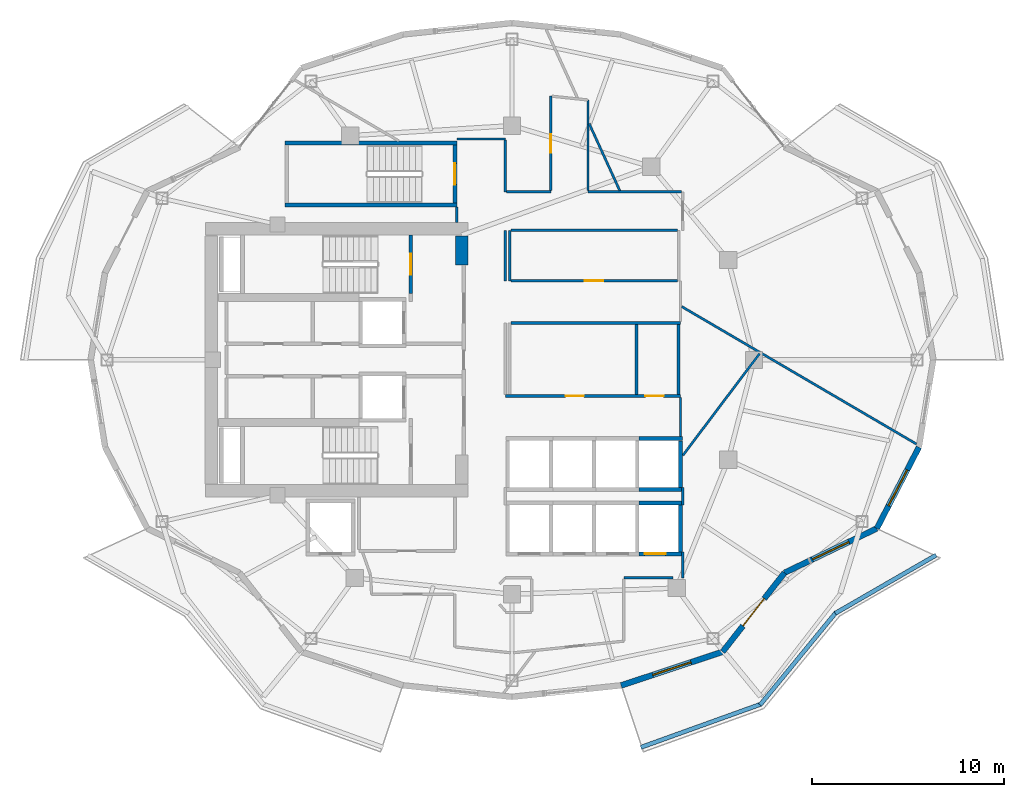
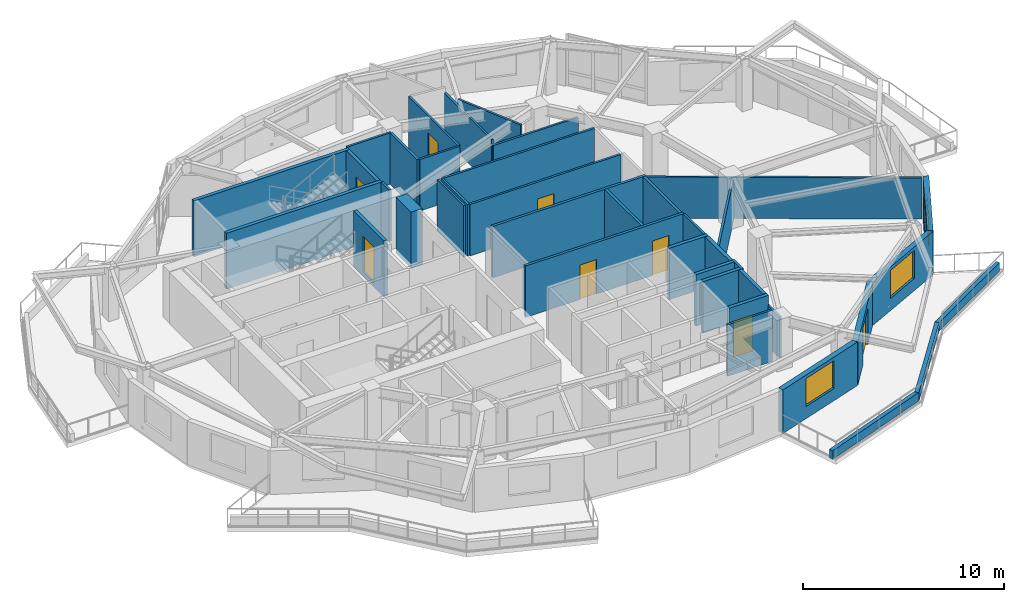
# One storey, part 8 of 13: 40 walls, 8 doors, 3 windows, 11 openings.
"""IFC4 building model written with IfcOpenShell, lengths in metres."""

from ifc_helpers import new_model, si_unit, direction, frame, frame_2d, origin, place, context, subcontext, project, spatial, rectangle, extrude, material, layer, layer_set, type_object, element, fill, save


model = new_model("IFC4")

# Units and contexts
model_context = context("Model", 3, precision=1e-05, world=origin(), true_north=direction((0.0, 1.0)))
body_context = subcontext(model_context, "Body", "Model", "MODEL_VIEW")
ifc_project = project(units=[si_unit("LENGTHUNIT", "METRE"), si_unit("AREAUNIT", "SQUARE_METRE"), si_unit("VOLUMEUNIT", "CUBIC_METRE"), si_unit("PLANEANGLEUNIT", "RADIAN"), si_unit("MASSUNIT", "GRAM", prefix="KILO")], contexts=[model_context])

# Site, building, storey
site_placement = place(None, origin())
site = spatial("IfcSite", under=ifc_project, at=site_placement, CompositionType="ELEMENT")
building_placement = place(site_placement, origin())
building = spatial("IfcBuilding", under=site, at=building_placement, Name="Kolvaren Gate Tower and Convention Centre", CompositionType="ELEMENT")
storey_placement = place(building_placement, frame((0.0, 0.0, 142.699951171875)))
storey = spatial("IfcBuildingStorey", under=building, at=storey_placement, Name="L36", CompositionType="ELEMENT", Elevation=142.699951171875)

# Wall
ifc_material_1 = material(Name="Fire-Rated Acoustic Gypsum Stud Partition", Category="gypsum")
ifc_layer_1 = layer(ifc_material_1, 0.1201171875)
ifc_layer_set_1 = layer_set([ifc_layer_1], Name="Fire-Rated Acoustic Gypsum Stud Partition")
wall_type_1 = type_object("IfcWallType", Name="ARCH-WL-PART-120", PredefinedType="PARTITIONING", material=ifc_layer_set_1)
wall_1_placement = place(storey_placement, frame((30.0, 31.1201171875, 0.0), z_axis=(0.0, 0.0, 1.0), x_axis=(0.0, 1.0, 0.0)))
element("IfcWall", 1, at=wall_1_placement, inside=storey, type_object=wall_type_1, Name="Interior Partition WL-L36-INT-015", PredefinedType="PARTITIONING", context=body_context, shape_type="SweptSolid", body=[
    extrude(rectangle(XDim=2.6298828125, YDim=0.1201171875, at=frame_2d((1.31494140625, 0.0))), origin(), (0.0, 0.0, 1.0), 3.130126953125),
])

# Wall, opening, door
wall_2_placement = place(storey_placement, frame((30.06201171875, 31.1201171875, 0.0), z_axis=(0.0, 0.0, 1.0), x_axis=(1.0, 0.0, 0.0)))
wall_2 = element("IfcWall", 2, at=wall_2_placement, inside=storey, type_object=wall_type_1, Name="Interior Partition WL-L36-INT-020", PredefinedType="PARTITIONING", context=body_context, shape_type="SweptSolid", body=[
    extrude(rectangle(XDim=8.676025390625, YDim=0.1201171875, at=frame_2d((4.337890625, 0.0))), origin(), (0.0, 0.0, 1.0), 3.130126953125),
])
opening_1_placement = place(wall_2_placement, frame((3.863037109375, 0.0, 0.0)))
opening_1 = element("IfcOpeningElement", 3, at=opening_1_placement, cuts=wall_2, Name="Opening DR-01", PredefinedType="OPENING", context=body_context, shape_type="SweptSolid", body=[
    extrude(rectangle(XDim=0.949951171875, YDim=2.10009765625, at=frame_2d((0.47509765625, 1.050048828125))), frame((0.0, 0.070068359375, 0.0), z_axis=(0.0, -1.0, 0.0), x_axis=(1.0, 0.0, 0.0)), (0.0, 0.0, 1.0), 0.14013671875),
])
ifc_material_2 = material(Name="Painted Architectural Steelwork ASTM A500 Grade C 345 MPa", Category="steel")
door_type_1 = type_object("IfcDoorType", Name="ARCH-DR-RISER-950", OperationType="SINGLE_SWING_RIGHT", PredefinedType="DOOR", material=ifc_material_2)
door_1_placement = place(opening_1_placement, origin())
door_1 = element("IfcDoor", 4, at=door_1_placement, inside=storey, type_object=door_type_1, Name="Botanical Reading Clubroom Door", OperationType="SINGLE_SWING_RIGHT", OverallHeight=2.10009765625, OverallWidth=0.949951171875, PredefinedType="DOOR", context=body_context, shape_type="SweptSolid", body=[
    extrude(rectangle(XDim=0.949951171875, YDim=2.10009765625, at=frame_2d((0.47509765625, 1.050048828125))), frame((0.0, 0.02490234375, 0.0), z_axis=(0.0, -1.0, 0.0), x_axis=(1.0, 0.0, 0.0)), (0.0, 0.0, 1.0), 0.050048828125),
])
fill(opening_1, door_1)

# Walls
wall_3_placement = place(storey_placement, frame((30.06201171875, 33.75, 0.0), z_axis=(0.0, 0.0, 1.0), x_axis=(1.0, 0.0, 0.0)))
element("IfcWall", 5, at=wall_3_placement, inside=storey, type_object=wall_type_1, Name="Interior Partition WL-L36-INT-021", PredefinedType="PARTITIONING", context=body_context, shape_type="SweptSolid", body=[
    extrude(rectangle(XDim=8.676025390625, YDim=0.1201171875, at=frame_2d((4.337890625, 0.0))), origin(), (0.0, 0.0, 1.0), 3.130126953125),
])
wall_4_placement = place(storey_placement, frame((39.02001953125, 15.64990234375, 0.0), z_axis=(0.0, 0.0, 1.0), x_axis=(0.0, 1.0, 0.0)))
element("IfcWall", 6, at=wall_4_placement, inside=storey, type_object=wall_type_1, Name="Interior Partition WL-L36-INT-022", PredefinedType="PARTITIONING", context=body_context, shape_type="SweptSolid", body=[
    extrude(rectangle(XDim=1.360107421875, YDim=0.1201171875, at=frame_2d((0.68017578125, 0.0))), origin(), (0.0, 0.0, 1.0), 2.505126953125),
])
wall_5_placement = place(storey_placement, frame((39.02001953125, 19.43994140625, 0.0), z_axis=(0.0, 0.0, 1.0), x_axis=(0.0, 1.0, 0.0)))
element("IfcWall", 7, at=wall_5_placement, inside=storey, type_object=wall_type_1, Name="Interior Partition WL-L36-INT-022 (2)", PredefinedType="PARTITIONING", context=body_context, shape_type="SweptSolid", body=[
    extrude(rectangle(XDim=0.920166015625, YDim=0.1201171875, at=frame_2d((0.4599609375, 0.0))), origin(), (0.0, 0.0, 1.0), 3.130126953125),
])
wall_6_placement = place(storey_placement, frame((35.949951171875, 15.64990234375, 0.0), z_axis=(0.0, 0.0, 1.0), x_axis=(1.0, 0.0, 0.0)))
element("IfcWall", 8, at=wall_6_placement, inside=storey, type_object=wall_type_1, Name="Interior Partition WL-L36-INT-025", PredefinedType="PARTITIONING", context=body_context, shape_type="SweptSolid", body=[
    extrude(rectangle(XDim=2.568115234375, YDim=0.1201171875, at=frame_2d((1.2841796875, 0.0))), origin(), (0.0, 0.0, 1.0), 3.130126953125),
])
wall_7_placement = place(storey_placement, frame((27.25, 34.152099609375, 0.0), z_axis=(0.0, 0.0, 1.0), x_axis=(0.0, 1.0, 0.0)))
element("IfcWall", 9, at=wall_7_placement, inside=storey, type_object=wall_type_1, Name="Interior Partition WL-L36-INT-032", PredefinedType="PARTITIONING", context=body_context, shape_type="SweptSolid", body=[
    extrude(rectangle(XDim=0.805908203125, YDim=0.1201171875, at=frame_2d((0.40283203125, 0.0))), origin(), (0.0, 0.0, 1.0), 3.130126953125),
])
wall_8_placement = place(storey_placement, frame((27.25, 38.5, 0.0), z_axis=(0.0, 0.0, 1.0), x_axis=(1.0, 0.0, 0.0)))
element("IfcWall", 10, at=wall_8_placement, inside=storey, type_object=wall_type_1, Name="Interior Partition WL-L36-INT-033", PredefinedType="PARTITIONING", context=body_context, shape_type="SweptSolid", body=[
    extrude(rectangle(XDim=2.530029296875, YDim=0.1201171875, at=frame_2d((1.26513671875, 0.0))), origin(), (0.0, 0.0, 1.0), 3.130126953125),
])
wall_9_placement = place(storey_placement, frame((29.780029296875, 31.1201171875, 0.0), z_axis=(0.0, 0.0, 1.0), x_axis=(0.0, 1.0, 0.0)))
element("IfcWall", 11, at=wall_9_placement, inside=storey, type_object=wall_type_1, Name="Interior Partition WL-L36-INT-036", PredefinedType="PARTITIONING", context=body_context, shape_type="SweptSolid", body=[
    extrude(rectangle(XDim=2.6298828125, YDim=0.1201171875, at=frame_2d((1.31494140625, 0.0))), origin(), (0.0, 0.0, 1.0), 3.130126953125),
])
wall_10_placement = place(storey_placement, frame((29.780029296875, 35.75, 0.0), z_axis=(0.0, 0.0, 1.0), x_axis=(0.0, 1.0, 0.0)))
element("IfcWall", 12, at=wall_10_placement, inside=storey, type_object=wall_type_1, Name="Interior Partition WL-L36-INT-037", PredefinedType="PARTITIONING", context=body_context, shape_type="SweptSolid", body=[
    extrude(rectangle(XDim=2.68798828125, YDim=0.1201171875, at=frame_2d((1.343994140625, 0.0))), origin(), (0.0, 0.0, 1.0), 3.130126953125),
])
wall_11_placement = place(storey_placement, frame((29.842041015625, 35.75, 0.0), z_axis=(0.0, 0.0, 1.0), x_axis=(1.0, 0.0, 0.0)))
element("IfcWall", 13, at=wall_11_placement, inside=storey, type_object=wall_type_1, Name="Interior Partition WL-L36-INT-038", PredefinedType="PARTITIONING", context=body_context, shape_type="SweptSolid", body=[
    extrude(rectangle(XDim=2.307861328125, YDim=0.1201171875, at=frame_2d((1.15380859375, 0.0))), origin(), (0.0, 0.0, 1.0), 3.130126953125),
])
wall_12_placement = place(storey_placement, frame((34.080078125, 35.75, 0.0), z_axis=(0.0, 0.0, 1.0), x_axis=(1.0, 0.0, 0.0)))
element("IfcWall", 14, at=wall_12_placement, inside=storey, type_object=wall_type_1, Name="Interior Partition WL-L36-INT-039", PredefinedType="PARTITIONING", context=body_context, shape_type="SweptSolid", body=[
    extrude(rectangle(XDim=4.8779296875, YDim=0.1201171875, at=frame_2d((2.43896484375, 0.0))), origin(), (0.0, 0.0, 1.0), 2.505126953125),
])

# Wall, opening, door
wall_13_placement = place(storey_placement, frame((32.14990234375, 35.81201171875, 0.0), z_axis=(0.0, 0.0, 1.0), x_axis=(0.0, 1.0, 0.0)))
wall_13 = element("IfcWall", 15, at=wall_13_placement, inside=storey, type_object=wall_type_1, Name="Interior Partition WL-L36-INT-040", PredefinedType="PARTITIONING", context=body_context, shape_type="SweptSolid", body=[
    extrude(rectangle(XDim=4.925048828125, YDim=0.1201171875, at=frame_2d((2.46240234375, 0.0))), origin(), (0.0, 0.0, 1.0), 3.130126953125),
])
opening_2_placement = place(wall_13_placement, frame((1.987548828125, 0.0, 0.0)))
opening_2 = element("IfcOpeningElement", 16, at=opening_2_placement, cuts=wall_13, Name="Opening DR-01", PredefinedType="OPENING", context=body_context, shape_type="SweptSolid", body=[
    extrude(rectangle(XDim=0.949951171875, YDim=2.10009765625, at=frame_2d((0.47509765625, 1.050048828125))), frame((0.0, 0.070068359375, 0.0), z_axis=(0.0, -1.0, 0.0), x_axis=(1.0, 0.0, 0.0)), (0.0, 0.0, 1.0), 0.14013671875),
])
door_2_placement = place(opening_2_placement, origin())
door_2 = element("IfcDoor", 17, at=door_2_placement, inside=storey, type_object=door_type_1, Name="Atrium Concierge Reception Door", OperationType="SINGLE_SWING_RIGHT", OverallHeight=2.10009765625, OverallWidth=0.949951171875, PredefinedType="DOOR", context=body_context, shape_type="SweptSolid", body=[
    extrude(rectangle(XDim=0.949951171875, YDim=2.10009765625, at=frame_2d((0.47509765625, 1.050048828125))), frame((0.0, 0.02490234375, 0.0), z_axis=(0.0, -1.0, 0.0), x_axis=(1.0, 0.0, 0.0)), (0.0, 0.0, 1.0), 0.050048828125),
])
fill(opening_2, door_2)

# Walls
wall_14_placement = place(storey_placement, frame((34.080078125, 35.81201171875, 0.0), z_axis=(0.0, 0.0, 1.0), x_axis=(0.0, 1.0, 0.0)))
element("IfcWall", 18, at=wall_14_placement, inside=storey, type_object=wall_type_1, Name="Interior Partition WL-L36-INT-042", PredefinedType="PARTITIONING", context=body_context, shape_type="SweptSolid", body=[
    extrude(rectangle(XDim=4.721923828125, YDim=0.1201171875, at=frame_2d((2.36083984375, 0.0))), origin(), (0.0, 0.0, 1.0), 2.81201171875),
])
wall_15_placement = place(storey_placement, frame((38.89990234375, 23.02001953125, 0.0), z_axis=(0.0, 0.0, 1.0), x_axis=(0.0, 1.0, 0.0)))
element("IfcWall", 19, at=wall_15_placement, inside=storey, type_object=wall_type_1, Name="Interior Partition WL-L36-INT-043", PredefinedType="PARTITIONING", context=body_context, shape_type="SweptSolid", body=[
    extrude(rectangle(XDim=2.02294921875, YDim=0.1201171875, at=frame_2d((1.011474609375, 0.0))), origin(), (0.0, 0.0, 1.0), 3.130126953125),
])
wall_16_placement = place(storey_placement, frame((38.9619140625, 29.777099609375, 0.0), z_axis=(0.0, 0.0, 1.0), x_axis=(0.862952708635, -0.505284694662, 0.0)))
element("IfcWall", 20, at=wall_16_placement, inside=storey, type_object=wall_type_1, Name="Interior Partition WL-L36-INT-050", PredefinedType="PARTITIONING", context=body_context, shape_type="SweptSolid", body=[
    extrude(rectangle(XDim=14.167236328125, YDim=0.1201171875, at=frame_2d((7.08349609375, 0.0))), origin(), (0.0, 0.0, 1.0), 2.505126953125),
])
wall_17_placement = place(storey_placement, frame((39.021484375, 22.02880859375, 0.0), z_axis=(0.0, 0.0, 1.0), x_axis=(0.601969195984, 0.798519309151, 0.0)))
element("IfcWall", 21, at=wall_17_placement, inside=storey, type_object=wall_type_1, Name="Interior Partition WL-L36-INT-052", PredefinedType="PARTITIONING", context=body_context, shape_type="SweptSolid", body=[
    extrude(rectangle(XDim=6.63916015625, YDim=0.1201171875, at=frame_2d((3.319580078125, 0.0))), origin(), (0.0, 0.0, 1.0), 2.505126953125),
])
wall_18_placement = place(storey_placement, frame((34.14208984375, 39.307373046875, 0.0), z_axis=(0.0, 0.0, 1.0), x_axis=(0.415501495917, -0.909592494962, 0.0)))
element("IfcWall", 22, at=wall_18_placement, inside=storey, type_object=wall_type_1, Name="Interior Partition WL-L36-INT-054", PredefinedType="PARTITIONING", context=body_context, shape_type="SweptSolid", body=[
    extrude(rectangle(XDim=3.8427734375, YDim=0.1201171875, at=frame_2d((1.92138671875, 0.0))), origin(), (0.0, 0.0, 1.0), 3.130126953125),
])
ifc_material_3 = material(Name="Piedmont Cream Honed Limestone Cladding", Category="masonry")
ifc_layer_2 = layer(ifc_material_3, 0.219970703125)
ifc_layer_set_2 = layer_set([ifc_layer_2], Name="Piedmont Cream Honed Limestone Cladding")
wall_type_2 = type_object("IfcWallType", Name="ARCH-WL-PLANTER-220", PredefinedType="PARAPET", material=ifc_layer_set_2)
wall_19_placement = place(storey_placement, frame((36.836669921875, 6.826171875, 0.0), z_axis=(0.0, 0.0, 1.0), x_axis=(0.940948576924, 0.338549517184, 0.0)))
element("IfcWall", 23, at=wall_19_placement, inside=storey, type_object=wall_type_2, Name="Vertical-Forest Balcony Stone Planter Kerb PK-L36-4.1", PredefinedType="PARAPET", context=body_context, shape_type="SweptSolid", body=[
    extrude(rectangle(XDim=6.6640625, YDim=0.219970703125, at=frame_2d((3.33203125, 0.0))), origin(), (0.0, 0.0, 1.0), 0.52001953125),
])
wall_20_placement = place(storey_placement, frame((43.0419921875, 9.03564453125, 0.0), z_axis=(0.0, 0.0, 1.0), x_axis=(0.634429234628, 0.77298094818, 0.0)))
element("IfcWall", 24, at=wall_20_placement, inside=storey, type_object=wall_type_2, Name="Vertical-Forest Balcony Stone Planter Kerb PK-L36-4.2", PredefinedType="PARAPET", context=body_context, shape_type="SweptSolid", body=[
    extrude(rectangle(XDim=6.244873046875, YDim=0.219970703125, at=frame_2d((3.12255859375, 0.0))), origin(), (0.0, 0.0, 1.0), 0.52001953125),
])
wall_21_placement = place(storey_placement, frame((46.95751953125, 13.8046875, 0.0), z_axis=(0.0, 0.0, 1.0), x_axis=(0.866058128659, 0.499943314571, 0.0)))
element("IfcWall", 25, at=wall_21_placement, inside=storey, type_object=wall_type_2, Name="Vertical-Forest Balcony Stone Planter Kerb PK-L36-4.3", PredefinedType="PARAPET", context=body_context, shape_type="SweptSolid", body=[
    extrude(rectangle(XDim=6.060302734375, YDim=0.219970703125, at=frame_2d((3.0302734375, 0.0))), origin(), (0.0, 0.0, 1.0), 0.52001953125),
])
ifc_material_4 = material(Name="Autoclaved Aerated Masonry Blockwork Class 4 (4.0 MPa)", Category="masonry")
ifc_layer_3 = layer(ifc_material_4, 0.199951171875)
ifc_layer_set_3 = layer_set([ifc_layer_3], Name="Autoclaved Aerated Masonry Blockwork Class 4 (4.0 MPa)")
wall_type_3 = type_object("IfcWallType", Name="ARCH-WL-SHAFT-200", PredefinedType="SOLIDWALL", material=ifc_layer_set_3)
wall_22_placement = place(storey_placement, frame((36.75, 19.550048828125, 0.0), z_axis=(0.0, 0.0, 1.0), x_axis=(1.0, 0.0, 0.0)))
element("IfcWall", 26, at=wall_22_placement, inside=storey, type_object=wall_type_3, Name="Elevator PL-08 L36 Fire Shaft Wall N", PredefinedType="SOLIDWALL", context=body_context, shape_type="SweptSolid", body=[
    extrude(rectangle(XDim=2.25, YDim=0.199951171875, at=frame_2d((1.125, 0.0))), origin(), (0.0, 0.0, 1.0), 3.130126953125),
])

# Wall, opening, door
wall_23_placement = place(storey_placement, frame((36.75, 16.89990234375, 0.0), z_axis=(0.0, 0.0, 1.0), x_axis=(1.0, 0.0, 0.0)))
wall_23 = element("IfcWall", 27, at=wall_23_placement, inside=storey, type_object=wall_type_3, Name="Elevator PL-08 L36 Fire Shaft Wall S", PredefinedType="SOLIDWALL", context=body_context, shape_type="SweptSolid", body=[
    extrude(rectangle(XDim=2.25, YDim=0.199951171875, at=frame_2d((1.125, 0.0))), origin(), (0.0, 0.0, 1.0), 3.130126953125),
])
opening_3_placement = place(wall_23_placement, frame((0.280029296875, 0.0, 0.0)))
opening_3 = element("IfcOpeningElement", 28, at=opening_3_placement, cuts=wall_23, Name="Opening LD", PredefinedType="OPENING", context=body_context, shape_type="SweptSolid", body=[
    extrude(rectangle(XDim=1.10009765625, YDim=2.199951171875, at=frame_2d((0.550048828125, 1.10009765625))), frame((0.0, 0.10986328125, 0.0), z_axis=(0.0, -1.0, 0.0), x_axis=(1.0, 0.0, 0.0)), (0.0, 0.0, 1.0), 0.219970703125),
])
ifc_material_5 = material(Name="Brushed Stainless Steel Grade 316L", Category="steel")
door_type_2 = type_object("IfcDoorType", Name="ARCH-DR-LIFT-1100", OperationType="SLIDING_TO_LEFT", PredefinedType="DOOR", material=ifc_material_5)
door_3_placement = place(opening_3_placement, origin())
door_3 = element("IfcDoor", 29, at=door_3_placement, inside=storey, type_object=door_type_2, Name="Elevator PL-08 L36 Sliding Landing Door", OperationType="SLIDING_TO_LEFT", OverallHeight=2.199951171875, OverallWidth=1.10009765625, PredefinedType="DOOR", context=body_context, shape_type="SweptSolid", body=[
    extrude(rectangle(XDim=1.10009765625, YDim=2.199951171875, at=frame_2d((0.550048828125, 1.10009765625))), frame((0.0, 0.02490234375, 0.0), z_axis=(0.0, -1.0, 0.0), x_axis=(1.0, 0.0, 0.0)), (0.0, 0.0, 1.0), 0.050048828125),
])
fill(opening_3, door_3)

# Walls
wall_24_placement = place(storey_placement, frame((38.89990234375, 17.010009765625, 0.0), z_axis=(0.0, 0.0, 1.0), x_axis=(0.0, 1.0, 0.0)))
element("IfcWall", 30, at=wall_24_placement, inside=storey, type_object=wall_type_3, Name="Elevator PL-08 L36 Fire Shaft Wall E", PredefinedType="SOLIDWALL", context=body_context, shape_type="SweptSolid", body=[
    extrude(rectangle(XDim=2.429931640625, YDim=0.199951171875, at=frame_2d((1.21484375, 0.0))), origin(), (0.0, 0.0, 1.0), 3.130126953125),
])
for number, where, z_axis, x_axis, name in (
    (31, (36.75, 22.89990234375, 0.0), (0.0, 0.0, 1.0), (1.0, 0.0, 0.0), "Elevator PL-12 L36 Fire Shaft Wall N"),
    (32, (36.75, 20.25, 0.0), (0.0, 0.0, 1.0), (1.0, 0.0, 0.0), "Elevator PL-12 L36 Fire Shaft Wall S"),
):
    element("IfcWall", number, at=place(storey_placement, frame(where, z_axis=z_axis, x_axis=x_axis)), inside=storey, type_object=wall_type_3, Name=name, PredefinedType="SOLIDWALL", context=body_context, shape_type="SweptSolid", body=[
        extrude(rectangle(XDim=2.25, YDim=0.199951171875, at=frame_2d((1.125, 0.0))), origin(), (0.0, 0.0, 1.0), 3.130126953125),
    ])
wall_25_placement = place(storey_placement, frame((38.89990234375, 20.360107421875, 0.0), z_axis=(0.0, 0.0, 1.0), x_axis=(0.0, 1.0, 0.0)))
element("IfcWall", 33, at=wall_25_placement, inside=storey, type_object=wall_type_3, Name="Elevator PL-12 L36 Fire Shaft Wall E", PredefinedType="SOLIDWALL", context=body_context, shape_type="SweptSolid", body=[
    extrude(rectangle(XDim=2.429931640625, YDim=0.199951171875, at=frame_2d((1.21484375, 0.0))), origin(), (0.0, 0.0, 1.0), 3.130126953125),
])

# Wall, opening, window
ifc_layer_4 = layer(ifc_material_3, 0.300048828125)
ifc_layer_set_4 = layer_set([ifc_layer_4], Name="Piedmont Cream Honed Limestone Cladding")
wall_type_4 = type_object("IfcWallType", Name="ARCH-WL-STONE-300", PredefinedType="SOLIDWALL", material=ifc_layer_set_4)
wall_26_placement = place(storey_placement, frame((35.802734375, 10.048095703125, 0.0), z_axis=(0.0, 0.0, 1.0), x_axis=(0.949246811547, 0.314532177636, 0.0)))
wall_26 = element("IfcWall", 34, at=wall_26_placement, inside=storey, type_object=wall_type_4, Name="Tower L36 Honed Stone Spandrel Wall EW-19", PredefinedType="SOLIDWALL", context=body_context, shape_type="SweptSolid", body=[
    extrude(rectangle(XDim=5.573974609375, YDim=0.300048828125, at=frame_2d((2.787109375, 0.0))), origin(), (0.0, 0.0, 1.0), 2.653076171875),
])
opening_4_placement = place(wall_26_placement, frame((1.737060546875, 0.0, 0.739990234375)))
opening_4 = element("IfcOpeningElement", 35, at=opening_4_placement, cuts=wall_26, Name="Opening W-02", PredefinedType="OPENING", context=body_context, shape_type="SweptSolid", body=[
    extrude(rectangle(XDim=2.10009765625, YDim=1.699951171875, at=frame_2d((1.050048828125, 0.85009765625))), frame((0.0, 0.159912109375, 0.0), z_axis=(0.0, -1.0, 0.0), x_axis=(1.0, 0.0, 0.0)), (0.0, 0.0, 1.0), 0.320068359375),
])
ifc_material_6 = material(Name="Low-E Triple Insulated Glazing Unit 44 mm", Category="glass")
window_type = type_object("IfcWindowType", Name="ARCH-WN-HTL-2100", PartitioningType="SINGLE_PANEL", PredefinedType="WINDOW", material=ifc_material_6)
window_1_placement = place(opening_4_placement, origin())
window_1 = element("IfcWindow", 36, at=window_1_placement, inside=storey, type_object=window_type, Name="Tower L36 Punched Stone Facade Window W-19", OverallHeight=1.699951171875, OverallWidth=2.10009765625, PartitioningType="SINGLE_PANEL", PredefinedType="WINDOW", context=body_context, shape_type="SweptSolid", body=[
    extrude(rectangle(XDim=2.10009765625, YDim=1.699951171875, at=frame_2d((1.050048828125, 0.85009765625))), frame((0.0, 0.030029296875, 0.0), z_axis=(0.0, -1.0, 0.0), x_axis=(1.0, 0.0, 0.0)), (0.0, 0.0, 1.0), 0.06005859375),
])
fill(opening_4, window_1)

# Wall, opening, door
wall_27_placement = place(storey_placement, frame((41.09375, 11.80126953125, 0.0), z_axis=(0.0, 0.0, 1.0), x_axis=(0.616429245738, 0.787410302828, 0.0)))
wall_27 = element("IfcWall", 37, at=wall_27_placement, inside=storey, type_object=wall_type_4, Name="Tower L36 Honed Stone Spandrel Wall EW-20", PredefinedType="SOLIDWALL", context=body_context, shape_type="SweptSolid", body=[
    extrude(rectangle(XDim=5.22314453125, YDim=0.300048828125, at=frame_2d((2.611572265625, 0.0))), origin(), (0.0, 0.0, 1.0), 2.653076171875),
])
opening_5_placement = place(wall_27_placement, frame((1.7119140625, 0.0, 0.0)))
opening_5 = element("IfcOpeningElement", 38, at=opening_5_placement, cuts=wall_27, Name="Opening DB-01", PredefinedType="OPENING", context=body_context, shape_type="SweptSolid", body=[
    extrude(rectangle(XDim=1.800048828125, YDim=2.25, at=frame_2d((0.89990234375, 1.125))), frame((0.0, 0.159912109375, 0.0), z_axis=(0.0, -1.0, 0.0), x_axis=(1.0, 0.0, 0.0)), (0.0, 0.0, 1.0), 0.320068359375),
])
ifc_material_7 = material(Name="Anodized Architectural Aluminium Alloy 6063-T6", Category="aluminium")
door_type_3 = type_object("IfcDoorType", Name="ARCH-DR-BALC-1800", OperationType="SLIDING_TO_LEFT", PredefinedType="DOOR", material=ifc_material_7)
door_4_placement = place(opening_5_placement, frame((1.800048828125, 0.0, 0.0), z_axis=(0.0, 0.0, 1.0), x_axis=(-1.0, 0.0, 0.0)))
door_4 = element("IfcDoor", 39, at=door_4_placement, inside=storey, type_object=door_type_3, Name="Planted Sky Terrace Access Door DB-L36-20", OperationType="SLIDING_TO_LEFT", OverallHeight=2.25, OverallWidth=1.800048828125, PredefinedType="DOOR", context=body_context, shape_type="SweptSolid", body=[
    extrude(rectangle(XDim=1.800048828125, YDim=2.25, at=frame_2d((0.89990234375, 1.125))), frame((0.0, 0.02490234375, 0.0), z_axis=(0.0, -1.0, 0.0), x_axis=(1.0, 0.0, 0.0)), (0.0, 0.0, 1.0), 0.050048828125),
])
fill(opening_5, door_4)

# Wall, opening, window
wall_28_placement = place(storey_placement, frame((44.3134765625, 15.9140625, 0.0), z_axis=(0.0, 0.0, 1.0), x_axis=(0.901353070301, 0.433085029363, 0.0)))
wall_28 = element("IfcWall", 40, at=wall_28_placement, inside=storey, type_object=wall_type_4, Name="Tower L36 Honed Stone Spandrel Wall EW-21", PredefinedType="SOLIDWALL", context=body_context, shape_type="SweptSolid", body=[
    extrude(rectangle(XDim=5.336181640625, YDim=0.300048828125, at=frame_2d((2.66796875, 0.0))), origin(), (0.0, 0.0, 1.0), 2.653076171875),
])
opening_6_placement = place(wall_28_placement, frame((1.617919921875, 0.0, 0.739990234375)))
opening_6 = element("IfcOpeningElement", 41, at=opening_6_placement, cuts=wall_28, Name="Opening W-02", PredefinedType="OPENING", context=body_context, shape_type="SweptSolid", body=[
    extrude(rectangle(XDim=2.10009765625, YDim=1.699951171875, at=frame_2d((1.050048828125, 0.85009765625))), frame((0.0, 0.159912109375, 0.0), z_axis=(0.0, -1.0, 0.0), x_axis=(1.0, 0.0, 0.0)), (0.0, 0.0, 1.0), 0.320068359375),
])
window_2_placement = place(opening_6_placement, origin())
window_2 = element("IfcWindow", 42, at=window_2_placement, inside=storey, type_object=window_type, Name="Tower L36 Punched Stone Facade Window W-21", OverallHeight=1.699951171875, OverallWidth=2.10009765625, PartitioningType="SINGLE_PANEL", PredefinedType="WINDOW", context=body_context, shape_type="SweptSolid", body=[
    extrude(rectangle(XDim=2.10009765625, YDim=1.699951171875, at=frame_2d((1.050048828125, 0.85009765625))), frame((0.0, 0.030029296875, 0.0), z_axis=(0.0, -1.0, 0.0), x_axis=(1.0, 0.0, 0.0)), (0.0, 0.0, 1.0), 0.06005859375),
])
fill(opening_6, window_2)

wall_29_placement = place(storey_placement, frame((49.123291015625, 18.22509765625, 0.0), z_axis=(0.0, 0.0, 1.0), x_axis=(0.459810251451, 0.888017191647, 0.0)))
wall_29 = element("IfcWall", 43, at=wall_29_placement, inside=storey, type_object=wall_type_4, Name="Tower L36 Honed Stone Spandrel Wall EW-22", PredefinedType="SOLIDWALL", context=body_context, shape_type="SweptSolid", body=[
    extrude(rectangle(XDim=4.766357421875, YDim=0.300048828125, at=frame_2d((2.38330078125, 0.0))), origin(), (0.0, 0.0, 1.0), 2.653076171875),
])
opening_7_placement = place(wall_29_placement, frame((1.3330078125, 0.0, 0.739990234375)))
opening_7 = element("IfcOpeningElement", 44, at=opening_7_placement, cuts=wall_29, Name="Opening W-02", PredefinedType="OPENING", context=body_context, shape_type="SweptSolid", body=[
    extrude(rectangle(XDim=2.10009765625, YDim=1.699951171875, at=frame_2d((1.050048828125, 0.85009765625))), frame((0.0, 0.159912109375, 0.0), z_axis=(0.0, -1.0, 0.0), x_axis=(1.0, 0.0, 0.0)), (0.0, 0.0, 1.0), 0.320068359375),
])
window_3_placement = place(opening_7_placement, origin())
window_3 = element("IfcWindow", 45, at=window_3_placement, inside=storey, type_object=window_type, Name="Tower L36 Punched Stone Facade Window W-22", OverallHeight=1.699951171875, OverallWidth=2.10009765625, PartitioningType="SINGLE_PANEL", PredefinedType="WINDOW", context=body_context, shape_type="SweptSolid", body=[
    extrude(rectangle(XDim=2.10009765625, YDim=1.699951171875, at=frame_2d((1.050048828125, 0.85009765625))), frame((0.0, 0.030029296875, 0.0), z_axis=(0.0, -1.0, 0.0), x_axis=(1.0, 0.0, 0.0)), (0.0, 0.0, 1.0), 0.06005859375),
])
fill(opening_7, window_3)

# Wall, openings, doors
ifc_material_8 = material(Name="Moisture-Resistant Cement-Board Acoustic Partition", Category="gypsum")
ifc_layer_5 = layer(ifc_material_8, 0.14990234375)
ifc_layer_set_5 = layer_set([ifc_layer_5], Name="Moisture-Resistant Cement-Board Acoustic Partition")
wall_type_5 = type_object("IfcWallType", Name="ARCH-WL-WET-150", PredefinedType="PARTITIONING", material=ifc_layer_set_5)
wall_30_placement = place(storey_placement, frame((29.780029296875, 25.1201171875, 0.0), z_axis=(0.0, 0.0, 1.0), x_axis=(1.0, 0.0, 0.0)))
wall_30 = element("IfcWall", 46, at=wall_30_placement, inside=storey, type_object=wall_type_5, Name="Interior Partition WL-L36-INT-013", PredefinedType="PARTITIONING", context=body_context, shape_type="SweptSolid", body=[
    extrude(rectangle(XDim=9.119873046875, YDim=0.14990234375, at=frame_2d((4.56005859375, 0.0))), origin(), (0.0, 0.0, 1.0), 3.130126953125),
])
opening_8_placement = place(wall_30_placement, frame((3.139892578125, 0.0, 0.0)))
opening_8 = element("IfcOpeningElement", 47, at=opening_8_placement, cuts=wall_30, Name="Opening DR-01", PredefinedType="OPENING", context=body_context, shape_type="SweptSolid", body=[
    extrude(rectangle(XDim=0.949951171875, YDim=2.10009765625, at=frame_2d((0.47509765625, 1.050048828125))), frame((0.0, 0.0849609375, 0.0), z_axis=(0.0, -1.0, 0.0), x_axis=(1.0, 0.0, 0.0)), (0.0, 0.0, 1.0), 0.169921875),
])
opening_9_placement = place(wall_30_placement, frame((7.2900390625, 0.0, 0.0)))
opening_9 = element("IfcOpeningElement", 48, at=opening_9_placement, cuts=wall_30, Name="Opening DR-01", PredefinedType="OPENING", context=body_context, shape_type="SweptSolid", body=[
    extrude(rectangle(XDim=0.949951171875, YDim=2.10009765625, at=frame_2d((0.47509765625, 1.050048828125))), frame((0.0, 0.0849609375, 0.0), z_axis=(0.0, -1.0, 0.0), x_axis=(1.0, 0.0, 0.0)), (0.0, 0.0, 1.0), 0.169921875),
])
door_5_placement = place(opening_8_placement, origin())
door_5 = element("IfcDoor", 49, at=door_5_placement, inside=storey, type_object=door_type_1, Name="Accessible Universal Washroom Door", OperationType="SINGLE_SWING_RIGHT", OverallHeight=2.10009765625, OverallWidth=0.949951171875, PredefinedType="DOOR", context=body_context, shape_type="SweptSolid", body=[
    extrude(rectangle(XDim=0.949951171875, YDim=2.10009765625, at=frame_2d((0.47509765625, 1.050048828125))), frame((0.0, 0.02490234375, 0.0), z_axis=(0.0, -1.0, 0.0), x_axis=(1.0, 0.0, 0.0)), (0.0, 0.0, 1.0), 0.050048828125),
])
fill(opening_8, door_5)
door_6_placement = place(opening_9_placement, origin())
door_6 = element("IfcDoor", 50, at=door_6_placement, inside=storey, type_object=door_type_1, Name="Hotel Housekeeping and Linen Store Door", OperationType="SINGLE_SWING_LEFT", OverallHeight=2.10009765625, OverallWidth=0.949951171875, PredefinedType="DOOR", context=body_context, shape_type="SweptSolid", body=[
    extrude(rectangle(XDim=0.949951171875, YDim=2.10009765625, at=frame_2d((0.47509765625, 1.050048828125))), frame((0.0, 0.02490234375, 0.0), z_axis=(0.0, -1.0, 0.0), x_axis=(1.0, 0.0, 0.0)), (0.0, 0.0, 1.0), 0.050048828125),
])
fill(opening_9, door_6)

# Walls
wall_31_placement = place(storey_placement, frame((30.076904296875, 28.919921875, 0.0), z_axis=(0.0, 0.0, 1.0), x_axis=(1.0, 0.0, 0.0)))
element("IfcWall", 51, at=wall_31_placement, inside=storey, type_object=wall_type_5, Name="Interior Partition WL-L36-INT-016", PredefinedType="PARTITIONING", context=body_context, shape_type="SweptSolid", body=[
    extrude(rectangle(XDim=8.822998046875, YDim=0.14990234375, at=frame_2d((4.41162109375, 0.0))), origin(), (0.0, 0.0, 1.0), 3.130126953125),
])
for number, where, z_axis, x_axis, name in (
    (52, (36.60009765625, 25.197021484375, 0.0), (0.0, 0.0, 1.0), (0.0, 1.0, 0.0), "Interior Partition WL-L36-INT-017"),
    (53, (38.800048828125, 25.197021484375, 0.0), (0.0, 0.0, 1.0), (0.0, 1.0, 0.0), "Interior Partition WL-L36-INT-018"),
):
    element("IfcWall", number, at=place(storey_placement, frame(where, z_axis=z_axis, x_axis=x_axis)), inside=storey, type_object=wall_type_5, Name=name, PredefinedType="PARTITIONING", context=body_context, shape_type="SweptSolid", body=[
        extrude(rectangle(XDim=3.64599609375, YDim=0.14990234375, at=frame_2d((1.822998046875, 0.0))), origin(), (0.0, 0.0, 1.0), 3.130126953125),
    ])
ifc_material_9 = material(Name="Concrete C60/75", Category="concrete")
ifc_layer_6 = layer(ifc_material_9, 0.64990234375)
ifc_layer_set_6 = layer_set([ifc_layer_6], Name="Concrete C60/75")
wall_type_6 = type_object("IfcWallType", Name="STR-WL-CORE-650", PredefinedType="SHEAR", material=ifc_layer_set_6)
wall_32_placement = place(storey_placement, frame((27.5, 31.949951171875, -0.27001953125), z_axis=(0.0, 0.0, 1.0), x_axis=(0.0, 1.0, 0.0)))
element("IfcWall", 54, at=wall_32_placement, inside=storey, type_object=wall_type_6, Name="Tower L36 Offset Core Shear Wall EN", PredefinedType="SHEAR", context=body_context, shape_type="SweptSolid", body=[
    extrude(rectangle(XDim=1.5, YDim=0.64990234375, at=frame_2d((0.75, 0.0))), origin(), (0.0, 0.0, 1.0), 3.400146484375),
])

# Wall, opening, door
ifc_material_10 = material(Name="Concrete C50/60", Category="concrete")
ifc_layer_7 = layer(ifc_material_10, 0.199951171875)
ifc_layer_set_7 = layer_set([ifc_layer_7], Name="Concrete C50/60")
wall_type_7 = type_object("IfcWallType", Name="STR-WL-SHAFT-200", PredefinedType="SHEAR", material=ifc_layer_set_7)
wall_33_placement = place(storey_placement, frame((24.85009765625, 30.4599609375, -0.27001953125), z_axis=(0.0, 0.0, 1.0), x_axis=(0.0, 1.0, 0.0)))
wall_33 = element("IfcWall", 55, at=wall_33_placement, inside=storey, type_object=wall_type_7, Name="Tower North Exit Stair ST-T1 L36 Structural Shear Enclosure Wall NEAR", PredefinedType="SHEAR", context=body_context, shape_type="SweptSolid", body=[
    extrude(rectangle(XDim=3.0380859375, YDim=0.199951171875, at=frame_2d((1.51904296875, 0.0))), origin(), (0.0, 0.0, 1.0), 3.400146484375),
])
opening_10_placement = place(wall_33_placement, frame((0.968994140625, 0.0, 0.27001953125)))
opening_10 = element("IfcOpeningElement", 56, at=opening_10_placement, cuts=wall_33, Name="Opening DS-01", PredefinedType="OPENING", context=body_context, shape_type="SweptSolid", body=[
    extrude(rectangle(XDim=1.10009765625, YDim=2.14990234375, at=frame_2d((0.550048828125, 1.074951171875))), frame((0.0, 0.10986328125, 0.0), z_axis=(0.0, -1.0, 0.0), x_axis=(1.0, 0.0, 0.0)), (0.0, 0.0, 1.0), 0.219970703125),
])
door_type_4 = type_object("IfcDoorType", Name="ARCH-DR-STAIR-1100", OperationType="SINGLE_SWING_LEFT", PredefinedType="DOOR", material=ifc_material_2)
door_7_placement = place(opening_10_placement, origin())
door_7 = element("IfcDoor", 57, at=door_7_placement, inside=storey, type_object=door_type_4, Name="Tower North Exit Stair ST-T1 L36 Fire Exit Stair Door", OperationType="SINGLE_SWING_RIGHT", OverallHeight=2.14990234375, OverallWidth=1.10009765625, PredefinedType="DOOR", context=body_context, shape_type="SweptSolid", body=[
    extrude(rectangle(XDim=1.10009765625, YDim=2.14990234375, at=frame_2d((0.550048828125, 1.074951171875))), frame((0.0, 0.02490234375, 0.0), z_axis=(0.0, -1.0, 0.0), x_axis=(1.0, 0.0, 0.0)), (0.0, 0.0, 1.0), 0.050048828125),
])
fill(opening_10, door_7)

wall_34_placement = place(storey_placement, frame((27.14990234375, 35.159912109375, -0.27001953125), z_axis=(0.0, 0.0, 1.0), x_axis=(0.0, 1.0, 0.0)))
wall_34 = element("IfcWall", 58, at=wall_34_placement, inside=storey, type_object=wall_type_7, Name="Tower Mid-Zone Exit Stair ST-T3 L36 Structural Shear Enclosure Wall NEAR", PredefinedType="SHEAR", context=body_context, shape_type="SweptSolid", body=[
    extrude(rectangle(XDim=3.0400390625, YDim=0.199951171875, at=frame_2d((1.52001953125, 0.0))), origin(), (0.0, 0.0, 1.0), 3.400146484375),
])
opening_11_placement = place(wall_34_placement, frame((0.969970703125, 0.0, 0.27001953125)))
opening_11 = element("IfcOpeningElement", 59, at=opening_11_placement, cuts=wall_34, Name="Opening DS-01", PredefinedType="OPENING", context=body_context, shape_type="SweptSolid", body=[
    extrude(rectangle(XDim=1.10009765625, YDim=2.14990234375, at=frame_2d((0.550048828125, 1.074951171875))), frame((0.0, 0.10986328125, 0.0), z_axis=(0.0, -1.0, 0.0), x_axis=(1.0, 0.0, 0.0)), (0.0, 0.0, 1.0), 0.219970703125),
])
door_8_placement = place(opening_11_placement, origin())
door_8 = element("IfcDoor", 60, at=door_8_placement, inside=storey, type_object=door_type_4, Name="Tower Mid-Zone Exit Stair ST-T3 L36 Fire Exit Stair Door", OperationType="SINGLE_SWING_RIGHT", OverallHeight=2.14990234375, OverallWidth=1.10009765625, PredefinedType="DOOR", context=body_context, shape_type="SweptSolid", body=[
    extrude(rectangle(XDim=1.10009765625, YDim=2.14990234375, at=frame_2d((0.550048828125, 1.074951171875))), frame((0.0, 0.02490234375, 0.0), z_axis=(0.0, -1.0, 0.0), x_axis=(1.0, 0.0, 0.0)), (0.0, 0.0, 1.0), 0.050048828125),
])
fill(opening_11, door_8)

# Walls
for number, where, z_axis, x_axis, name in (
    (61, (18.300048828125, 38.300048828125, -0.27001953125), (0.0, 0.0, 1.0), (1.0, 0.0, 0.0), "Tower Mid-Zone Exit Stair ST-T3 L36 Structural Shear Enclosure Wall LEFT"),
    (62, (18.300048828125, 35.06005859375, -0.27001953125), (0.0, 0.0, 1.0), (1.0, 0.0, 0.0), "Tower Mid-Zone Exit Stair ST-T3 L36 Structural Shear Enclosure Wall RGHT"),
):
    element("IfcWall", number, at=place(storey_placement, frame(where, z_axis=z_axis, x_axis=x_axis)), inside=storey, type_object=wall_type_7, Name=name, PredefinedType="SHEAR", context=body_context, shape_type="SweptSolid", body=[
        extrude(rectangle(XDim=8.949951171875, YDim=0.199951171875, at=frame_2d((4.47509765625, 0.0))), origin(), (0.0, 0.0, 1.0), 3.400146484375),
    ])

save(model, "model.ifc")
